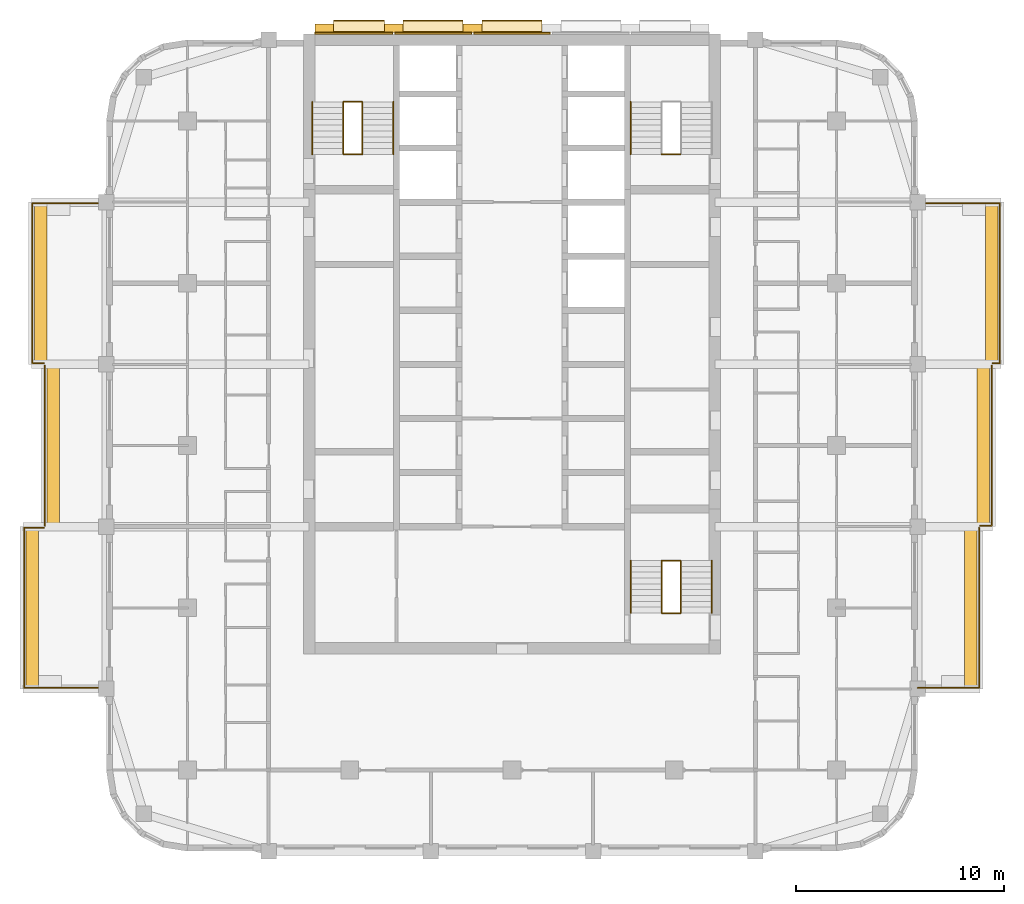
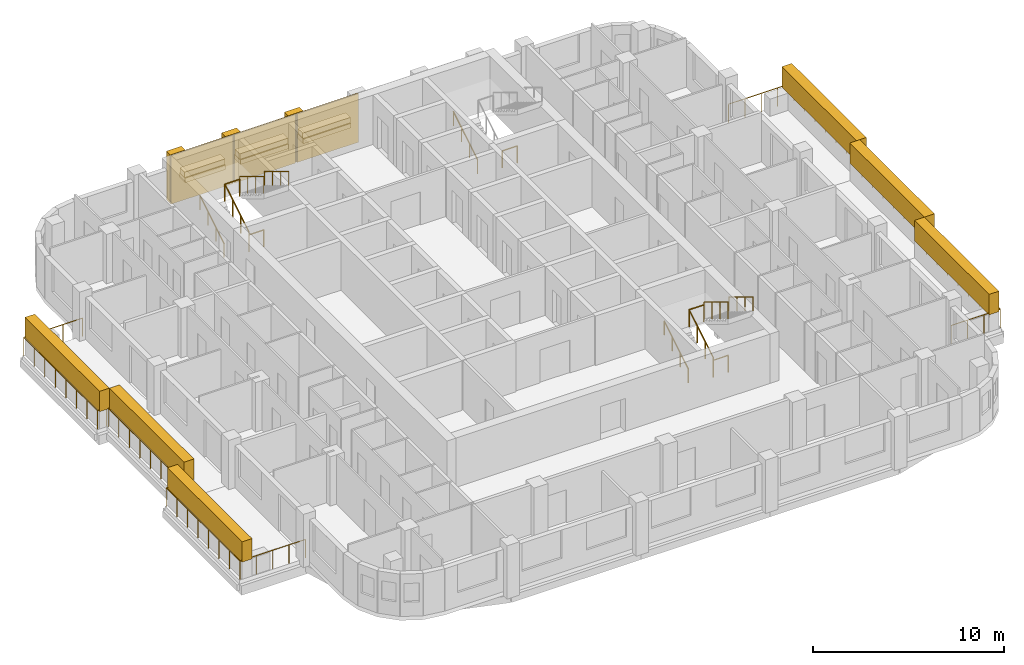
# One storey, part 12 of 13: 20 railings, 18 coverings, 3 elements without a shape of their own.
"""IFC4 building model written with IfcOpenShell, lengths in metres."""

from ifc_helpers import new_model, si_unit, direction, frame, origin, origin_2d, place, context, subcontext, project, spatial, rectangle, circle, extrude, material, layer, layer_set, type_object, element, aggregate, save


model = new_model("IFC4")

# Units and contexts
model_context = context("Model", 3, precision=1e-05, world=origin(), true_north=direction((0.0, 1.0)))
body_context = subcontext(model_context, "Body", "Model", "MODEL_VIEW")
ifc_project = project(units=[si_unit("LENGTHUNIT", "METRE"), si_unit("AREAUNIT", "SQUARE_METRE"), si_unit("VOLUMEUNIT", "CUBIC_METRE"), si_unit("PLANEANGLEUNIT", "RADIAN"), si_unit("MASSUNIT", "GRAM", prefix="KILO")], contexts=[model_context])

# Site, building, storey
site_placement = place(None, origin())
site = spatial("IfcSite", under=ifc_project, at=site_placement, CompositionType="ELEMENT")
building_placement = place(site_placement, origin())
building = spatial("IfcBuilding", under=site, at=building_placement, Name="Ludao Terraces", CompositionType="ELEMENT")
storey_placement = place(building_placement, frame((0.0, 0.0, 155.39990234375)))
storey = spatial("IfcBuildingStorey", under=building, at=storey_placement, Name="L42", CompositionType="ELEMENT", Elevation=155.39990234375)

# Railings
ifc_material_1 = material(Name="Stainless steel 304", Category="steel")
railing_type_1 = type_object("IfcRailingType", Name="ENV Balcony glass guard 1200", PredefinedType="GUARDRAIL", material=ifc_material_1)
railing_1_placement = place(storey_placement, frame((104.5, 53.35009765625, 0.0)))
element("IfcRailing", 1, at=railing_1_placement, inside=storey, type_object=railing_type_1, Name="Balcony guard L42 E1", PredefinedType="GUARDRAIL", context=body_context, shape_type="SweptSolid", body=[
    extrude(circle(Radius=0.02392578125, at=origin_2d()), frame((0.0, 0.0, 1.17578125), z_axis=(1.0, 0.0, 0.0), x_axis=(0.0, 1.0, 0.0)), (0.0, 0.0, 1.0), 2.949951171875),
    extrude(circle(Radius=0.02392578125, at=origin_2d()), frame((2.949951171875, 0.0, 1.17578125), z_axis=(0.0, 1.0, 0.0), x_axis=(-1.0, 0.0, 0.0)), (0.0, 0.0, 1.0), 7.699951171875),
    extrude(circle(Radius=0.02099609375, at=origin_2d()), origin(), (0.0, 0.0, 1.0), 1.15185546875),
    extrude(circle(Radius=0.02099609375, at=origin_2d()), frame((0.9833984375, 0.0, 0.0)), (0.0, 0.0, 1.0), 1.15185546875),
    extrude(circle(Radius=0.02099609375, at=origin_2d()), frame((1.966552734375, 0.0, 0.0)), (0.0, 0.0, 1.0), 1.15185546875),
    extrude(circle(Radius=0.02099609375, at=origin_2d()), frame((2.949951171875, 0.0, 0.0)), (0.0, 0.0, 1.0), 1.15185546875),
    extrude(circle(Radius=0.02099609375, at=origin_2d()), frame((2.949951171875, 1.10009765625, 0.0)), (0.0, 0.0, 1.0), 1.15185546875),
    extrude(circle(Radius=0.02099609375, at=origin_2d()), frame((2.949951171875, 2.199951171875, 0.0)), (0.0, 0.0, 1.0), 1.15185546875),
    extrude(circle(Radius=0.02099609375, at=origin_2d()), frame((2.949951171875, 3.300048828125, 0.0)), (0.0, 0.0, 1.0), 1.15185546875),
    extrude(circle(Radius=0.02099609375, at=origin_2d()), frame((2.949951171875, 4.39990234375, 0.0)), (0.0, 0.0, 1.0), 1.15185546875),
    extrude(circle(Radius=0.02099609375, at=origin_2d()), frame((2.949951171875, 5.5, 0.0)), (0.0, 0.0, 1.0), 1.15185546875),
    extrude(circle(Radius=0.02099609375, at=origin_2d()), frame((2.949951171875, 6.599853515625, 0.0)), (0.0, 0.0, 1.0), 1.15185546875),
    extrude(circle(Radius=0.02099609375, at=origin_2d()), frame((2.949951171875, 7.699951171875, 0.0)), (0.0, 0.0, 1.0), 1.15185546875),
])
railing_2_placement = place(storey_placement, frame((107.5, 61.14990234375, 0.0)))
element("IfcRailing", 2, at=railing_2_placement, inside=storey, type_object=railing_type_1, Name="Balcony guard L42 E2", PredefinedType="GUARDRAIL", context=body_context, shape_type="SweptSolid", body=[
    extrude(circle(Radius=0.02392578125, at=origin_2d()), frame((0.0, 0.0, 1.17578125), z_axis=(1.0, 0.0, 0.0), x_axis=(0.0, 1.0, 0.0)), (0.0, 0.0, 1.0), 0.550048828125),
    extrude(circle(Radius=0.02392578125, at=origin_2d()), frame((0.550048828125, 0.0, 1.17578125), z_axis=(0.0, 1.0, 0.0), x_axis=(-1.0, 0.0, 0.0)), (0.0, 0.0, 1.0), 7.7001953125),
    extrude(circle(Radius=0.02099609375, at=origin_2d()), origin(), (0.0, 0.0, 1.0), 1.15185546875),
    extrude(circle(Radius=0.02099609375, at=origin_2d()), frame((0.550048828125, 0.0, 0.0)), (0.0, 0.0, 1.0), 1.15185546875),
    extrude(circle(Radius=0.02099609375, at=origin_2d()), frame((0.550048828125, 1.10009765625, 0.0)), (0.0, 0.0, 1.0), 1.15185546875),
    extrude(circle(Radius=0.02099609375, at=origin_2d()), frame((0.550048828125, 2.199951171875, 0.0)), (0.0, 0.0, 1.0), 1.15185546875),
    extrude(circle(Radius=0.02099609375, at=origin_2d()), frame((0.550048828125, 3.300048828125, 0.0)), (0.0, 0.0, 1.0), 1.15185546875),
    extrude(circle(Radius=0.02099609375, at=origin_2d()), frame((0.550048828125, 4.400146484375, 0.0)), (0.0, 0.0, 1.0), 1.15185546875),
    extrude(circle(Radius=0.02099609375, at=origin_2d()), frame((0.550048828125, 5.500244140625, 0.0)), (0.0, 0.0, 1.0), 1.15185546875),
    extrude(circle(Radius=0.02099609375, at=origin_2d()), frame((0.550048828125, 6.60009765625, 0.0)), (0.0, 0.0, 1.0), 1.15185546875),
    extrude(circle(Radius=0.02099609375, at=origin_2d()), frame((0.550048828125, 7.7001953125, 0.0)), (0.0, 0.0, 1.0), 1.15185546875),
])
railing_3_placement = place(storey_placement, frame((108.10009765625, 68.949951171875, 0.0)))
element("IfcRailing", 3, at=railing_3_placement, inside=storey, type_object=railing_type_1, Name="Balcony guard L42 E3", PredefinedType="GUARDRAIL", context=body_context, shape_type="SweptSolid", body=[
    extrude(circle(Radius=0.02392578125, at=origin_2d()), frame((0.0, 0.0, 1.17578125), z_axis=(1.0, 0.0, 0.0), x_axis=(0.0, 1.0, 0.0)), (0.0, 0.0, 1.0), 0.349853515625),
    extrude(circle(Radius=0.02392578125, at=origin_2d()), frame((0.349853515625, 0.0, 1.17578125), z_axis=(0.0, 1.0, 0.0), x_axis=(-1.0, 0.0, 0.0)), (0.0, 0.0, 1.0), 7.699951171875),
    extrude(circle(Radius=0.02392578125, at=origin_2d()), frame((0.349853515625, 7.699951171875, 1.17578125), z_axis=(-1.0, 0.0, 0.0), x_axis=(0.0, -1.0, 0.0)), (0.0, 0.0, 1.0), 3.949951171875),
    extrude(circle(Radius=0.02099609375, at=origin_2d()), origin(), (0.0, 0.0, 1.0), 1.15185546875),
    extrude(circle(Radius=0.02099609375, at=origin_2d()), frame((0.349853515625, 0.0, 0.0)), (0.0, 0.0, 1.0), 1.15185546875),
    extrude(circle(Radius=0.02099609375, at=origin_2d()), frame((0.349853515625, 1.10009765625, 0.0)), (0.0, 0.0, 1.0), 1.15185546875),
    extrude(circle(Radius=0.02099609375, at=origin_2d()), frame((0.349853515625, 2.199951171875, 0.0)), (0.0, 0.0, 1.0), 1.15185546875),
    extrude(circle(Radius=0.02099609375, at=origin_2d()), frame((0.349853515625, 3.300048828125, 0.0)), (0.0, 0.0, 1.0), 1.15185546875),
    extrude(circle(Radius=0.02099609375, at=origin_2d()), frame((0.349853515625, 4.39990234375, 0.0)), (0.0, 0.0, 1.0), 1.15185546875),
    extrude(circle(Radius=0.02099609375, at=origin_2d()), frame((0.349853515625, 5.5, 0.0)), (0.0, 0.0, 1.0), 1.15185546875),
    extrude(circle(Radius=0.02099609375, at=origin_2d()), frame((0.349853515625, 6.599853515625, 0.0)), (0.0, 0.0, 1.0), 1.15185546875),
    extrude(circle(Radius=0.02099609375, at=origin_2d()), frame((0.349853515625, 7.699951171875, 0.0)), (0.0, 0.0, 1.0), 1.15185546875),
    extrude(circle(Radius=0.02099609375, at=origin_2d()), frame((-0.6376953125, 7.699951171875, 0.0)), (0.0, 0.0, 1.0), 1.15185546875),
    extrude(circle(Radius=0.02099609375, at=origin_2d()), frame((-1.625, 7.699951171875, 0.0)), (0.0, 0.0, 1.0), 1.15185546875),
    extrude(circle(Radius=0.02099609375, at=origin_2d()), frame((-2.612548828125, 7.699951171875, 0.0)), (0.0, 0.0, 1.0), 1.15185546875),
    extrude(circle(Radius=0.02099609375, at=origin_2d()), frame((-3.60009765625, 7.699951171875, 0.0)), (0.0, 0.0, 1.0), 1.15185546875),
])
railing_4_placement = place(storey_placement, frame((65.5, 53.35009765625, 0.0)))
element("IfcRailing", 4, at=railing_4_placement, inside=storey, type_object=railing_type_1, Name="Balcony guard L42 W1", PredefinedType="GUARDRAIL", context=body_context, shape_type="SweptSolid", body=[
    extrude(circle(Radius=0.02392578125, at=origin_2d()), frame((0.0, 0.0, 1.17578125), z_axis=(-1.0, 0.0, 0.0), x_axis=(0.0, -1.0, 0.0)), (0.0, 0.0, 1.0), 3.949951171875),
    extrude(circle(Radius=0.02392578125, at=origin_2d()), frame((-3.949951171875, 0.0, 1.17578125), z_axis=(0.0, 1.0, 0.0), x_axis=(-1.0, 0.0, 0.0)), (0.0, 0.0, 1.0), 7.699951171875),
    extrude(circle(Radius=0.02392578125, at=origin_2d()), frame((-3.949951171875, 7.699951171875, 1.17578125), z_axis=(1.0, 0.0, 0.0), x_axis=(0.0, 1.0, 0.0)), (0.0, 0.0, 1.0), 0.949951171875),
    extrude(circle(Radius=0.02099609375, at=origin_2d()), origin(), (0.0, 0.0, 1.0), 1.15185546875),
    extrude(circle(Radius=0.02099609375, at=origin_2d()), frame((-0.987548828125, 0.0, 0.0)), (0.0, 0.0, 1.0), 1.15185546875),
    extrude(circle(Radius=0.02099609375, at=origin_2d()), frame((-1.97509765625, 0.0, 0.0)), (0.0, 0.0, 1.0), 1.15185546875),
    extrude(circle(Radius=0.02099609375, at=origin_2d()), frame((-2.96240234375, 0.0, 0.0)), (0.0, 0.0, 1.0), 1.15185546875),
    extrude(circle(Radius=0.02099609375, at=origin_2d()), frame((-3.949951171875, 0.0, 0.0)), (0.0, 0.0, 1.0), 1.15185546875),
    extrude(circle(Radius=0.02099609375, at=origin_2d()), frame((-3.949951171875, 1.10009765625, 0.0)), (0.0, 0.0, 1.0), 1.15185546875),
    extrude(circle(Radius=0.02099609375, at=origin_2d()), frame((-3.949951171875, 2.199951171875, 0.0)), (0.0, 0.0, 1.0), 1.15185546875),
    extrude(circle(Radius=0.02099609375, at=origin_2d()), frame((-3.949951171875, 3.300048828125, 0.0)), (0.0, 0.0, 1.0), 1.15185546875),
    extrude(circle(Radius=0.02099609375, at=origin_2d()), frame((-3.949951171875, 4.39990234375, 0.0)), (0.0, 0.0, 1.0), 1.15185546875),
    extrude(circle(Radius=0.02099609375, at=origin_2d()), frame((-3.949951171875, 5.5, 0.0)), (0.0, 0.0, 1.0), 1.15185546875),
    extrude(circle(Radius=0.02099609375, at=origin_2d()), frame((-3.949951171875, 6.599853515625, 0.0)), (0.0, 0.0, 1.0), 1.15185546875),
    extrude(circle(Radius=0.02099609375, at=origin_2d()), frame((-3.949951171875, 7.699951171875, 0.0)), (0.0, 0.0, 1.0), 1.15185546875),
    extrude(circle(Radius=0.02099609375, at=origin_2d()), frame((-3.0, 7.699951171875, 0.0)), (0.0, 0.0, 1.0), 1.15185546875),
])
railing_5_placement = place(storey_placement, frame((62.550048828125, 61.14990234375, 0.0)))
element("IfcRailing", 5, at=railing_5_placement, inside=storey, type_object=railing_type_1, Name="Balcony guard L42 W2", PredefinedType="GUARDRAIL", context=body_context, shape_type="SweptSolid", body=[
    extrude(circle(Radius=0.02392578125, at=origin_2d()), frame((0.0, 0.0, 1.17578125), z_axis=(0.0, 1.0, 0.0), x_axis=(-1.0, 0.0, 0.0)), (0.0, 0.0, 1.0), 7.7001953125),
    extrude(circle(Radius=0.02099609375, at=origin_2d()), origin(), (0.0, 0.0, 1.0), 1.15185546875),
    extrude(circle(Radius=0.02099609375, at=origin_2d()), frame((0.0, 1.10009765625, 0.0)), (0.0, 0.0, 1.0), 1.15185546875),
    extrude(circle(Radius=0.02099609375, at=origin_2d()), frame((0.0, 2.199951171875, 0.0)), (0.0, 0.0, 1.0), 1.15185546875),
    extrude(circle(Radius=0.02099609375, at=origin_2d()), frame((0.0, 3.300048828125, 0.0)), (0.0, 0.0, 1.0), 1.15185546875),
    extrude(circle(Radius=0.02099609375, at=origin_2d()), frame((0.0, 4.400146484375, 0.0)), (0.0, 0.0, 1.0), 1.15185546875),
    extrude(circle(Radius=0.02099609375, at=origin_2d()), frame((0.0, 5.500244140625, 0.0)), (0.0, 0.0, 1.0), 1.15185546875),
    extrude(circle(Radius=0.02099609375, at=origin_2d()), frame((0.0, 6.60009765625, 0.0)), (0.0, 0.0, 1.0), 1.15185546875),
    extrude(circle(Radius=0.02099609375, at=origin_2d()), frame((0.0, 7.7001953125, 0.0)), (0.0, 0.0, 1.0), 1.15185546875),
])
railing_6_placement = place(storey_placement, frame((62.5, 68.949951171875, 0.0)))
element("IfcRailing", 6, at=railing_6_placement, inside=storey, type_object=railing_type_1, Name="Balcony guard L42 W3", PredefinedType="GUARDRAIL", context=body_context, shape_type="SweptSolid", body=[
    extrude(circle(Radius=0.02392578125, at=origin_2d()), frame((0.0, 0.0, 1.17578125), z_axis=(-1.0, 0.0, 0.0), x_axis=(0.0, -1.0, 0.0)), (0.0, 0.0, 1.0), 0.550048828125),
    extrude(circle(Radius=0.02392578125, at=origin_2d()), frame((-0.550048828125, 0.0, 1.17578125), z_axis=(0.0, 1.0, 0.0), x_axis=(-1.0, 0.0, 0.0)), (0.0, 0.0, 1.0), 7.699951171875),
    extrude(circle(Radius=0.02392578125, at=origin_2d()), frame((-0.550048828125, 7.699951171875, 1.17578125), z_axis=(1.0, 0.0, 0.0), x_axis=(0.0, 1.0, 0.0)), (0.0, 0.0, 1.0), 3.550048828125),
    extrude(circle(Radius=0.02099609375, at=origin_2d()), origin(), (0.0, 0.0, 1.0), 1.15185546875),
    extrude(circle(Radius=0.02099609375, at=origin_2d()), frame((-0.550048828125, 0.0, 0.0)), (0.0, 0.0, 1.0), 1.15185546875),
    extrude(circle(Radius=0.02099609375, at=origin_2d()), frame((-0.550048828125, 1.10009765625, 0.0)), (0.0, 0.0, 1.0), 1.15185546875),
    extrude(circle(Radius=0.02099609375, at=origin_2d()), frame((-0.550048828125, 2.199951171875, 0.0)), (0.0, 0.0, 1.0), 1.15185546875),
    extrude(circle(Radius=0.02099609375, at=origin_2d()), frame((-0.550048828125, 3.300048828125, 0.0)), (0.0, 0.0, 1.0), 1.15185546875),
    extrude(circle(Radius=0.02099609375, at=origin_2d()), frame((-0.550048828125, 4.39990234375, 0.0)), (0.0, 0.0, 1.0), 1.15185546875),
    extrude(circle(Radius=0.02099609375, at=origin_2d()), frame((-0.550048828125, 5.5, 0.0)), (0.0, 0.0, 1.0), 1.15185546875),
    extrude(circle(Radius=0.02099609375, at=origin_2d()), frame((-0.550048828125, 6.599853515625, 0.0)), (0.0, 0.0, 1.0), 1.15185546875),
    extrude(circle(Radius=0.02099609375, at=origin_2d()), frame((-0.550048828125, 7.699951171875, 0.0)), (0.0, 0.0, 1.0), 1.15185546875),
    extrude(circle(Radius=0.02099609375, at=origin_2d()), frame((0.63330078125, 7.699951171875, 0.0)), (0.0, 0.0, 1.0), 1.15185546875),
    extrude(circle(Radius=0.02099609375, at=origin_2d()), frame((1.816650390625, 7.699951171875, 0.0)), (0.0, 0.0, 1.0), 1.15185546875),
    extrude(circle(Radius=0.02099609375, at=origin_2d()), frame((3.0, 7.699951171875, 0.0)), (0.0, 0.0, 1.0), 1.15185546875),
])

# Coverings
ifc_material_2 = material(Name="Granite cladding", Category="masonry")
ifc_layer_1 = layer(ifc_material_2, 0.39990234375)
ifc_layer_set_1 = layer_set([ifc_layer_1], Name="ENV Core pilaster stone 400")
covering_type_1 = type_object("IfcCoveringType", Name="ENV Core pilaster stone 400", PredefinedType="CLADDING", material=ifc_layer_set_1)
for number, where, z_axis, x_axis, name in (
    (7, (75.97509765625, 85.054931640625, 0.0), (0.0, 0.0, 1.0), (1.0, 0.0, 0.0), "CC-L42-PIL1"),
    (8, (79.31494140625, 85.054931640625, 0.0), (0.0, 0.0, 1.0), (1.0, 0.0, 0.0), "CC-L42-PIL2"),
    (9, (83.10498046875, 85.054931640625, 0.0), (0.0, 0.0, 1.0), (1.0, 0.0, 0.0), "CC-L42-PIL3"),
):
    element("IfcCovering", number, at=place(storey_placement, frame(where, z_axis=z_axis, x_axis=x_axis)), inside=storey, type_object=covering_type_1, Name=name, PredefinedType="CLADDING", context=body_context, shape_type="SweptSolid", body=[
        extrude(rectangle(XDim=0.89990234375, YDim=0.39990234375, at=origin_2d()), origin(), (0.0, 0.0, 1.0), 3.10009765625),
    ])
ifc_layer_2 = layer(ifc_material_2, 0.60009765625)
ifc_layer_set_2 = layer_set([ifc_layer_2], Name="ENV Core planting shelf stone 600")
covering_type_2 = type_object("IfcCoveringType", Name="ENV Core planting shelf stone 600", PredefinedType="CLADDING", material=ifc_layer_set_2)
covering_1_placement = place(storey_placement, frame((77.64501953125, 85.155029296875, 1.0), z_axis=(0.0, 0.0, 1.0), x_axis=(1.0, 0.0, 0.0)))
element("IfcCovering", 10, at=covering_1_placement, inside=storey, type_object=covering_type_2, Name="CC-L42-SHELF1", PredefinedType="CLADDING", context=body_context, shape_type="SweptSolid", body=[
    extrude(rectangle(XDim=2.43994140625, YDim=0.60009765625, at=origin_2d()), origin(), (0.0, 0.0, 1.0), 0.300048828125),
])
for number, where, z_axis, x_axis, name in (
    (11, (81.2099609375, 85.155029296875, 1.0), (0.0, 0.0, 1.0), (1.0, 0.0, 0.0), "CC-L42-SHELF2"),
    (12, (85.0, 85.155029296875, 1.0), (0.0, 0.0, 1.0), (1.0, 0.0, 0.0), "CC-L42-SHELF3"),
):
    element("IfcCovering", number, at=place(storey_placement, frame(where, z_axis=z_axis, x_axis=x_axis)), inside=storey, type_object=covering_type_2, Name=name, PredefinedType="CLADDING", context=body_context, shape_type="SweptSolid", body=[
        extrude(rectangle(XDim=2.889892578125, YDim=0.60009765625, at=origin_2d()), origin(), (0.0, 0.0, 1.0), 0.300048828125),
    ])
ifc_layer_3 = layer(ifc_material_2, 0.080078125)
ifc_layer_set_3 = layer_set([ifc_layer_3], Name="ENV Core stone cladding panel 80")
covering_type_3 = type_object("IfcCoveringType", Name="ENV Core stone cladding panel 80", PredefinedType="CLADDING", material=ifc_layer_set_3)
covering_2_placement = place(storey_placement, frame((77.39501953125, 84.81494140625, 0.0), z_axis=(0.0, 0.0, 1.0), x_axis=(1.0, 0.0, 0.0)))
element("IfcCovering", 13, at=covering_2_placement, inside=storey, type_object=covering_type_3, Name="CC-L42-CORE1", PredefinedType="CLADDING", context=body_context, shape_type="SweptSolid", body=[
    extrude(rectangle(XDim=3.739990234375, YDim=0.080078125, at=origin_2d()), origin(), (0.0, 0.0, 1.0), 3.10009765625),
])
for number, where, z_axis, x_axis, name in (
    (14, (81.2099609375, 84.81494140625, 0.0), (0.0, 0.0, 1.0), (1.0, 0.0, 0.0), "CC-L42-CORE2"),
    (15, (85.0, 84.81494140625, 0.0), (0.0, 0.0, 1.0), (1.0, 0.0, 0.0), "CC-L42-CORE3"),
):
    element("IfcCovering", number, at=place(storey_placement, frame(where, z_axis=z_axis, x_axis=x_axis)), inside=storey, type_object=covering_type_3, Name=name, PredefinedType="CLADDING", context=body_context, shape_type="SweptSolid", body=[
        extrude(rectangle(XDim=3.68994140625, YDim=0.080078125, at=origin_2d()), origin(), (0.0, 0.0, 1.0), 3.10009765625),
    ])
ifc_material_3 = material(Name="Planting")
ifc_layer_4 = layer(ifc_material_3, 0.60009765625)
ifc_layer_set_4 = layer_set([ifc_layer_4], Name="ENV Planting hedge 600x1300")
covering_type_4 = type_object("IfcCoveringType", Name="ENV Planting hedge 600x1300", PredefinedType="USERDEFINED", material=ifc_layer_set_4)
for number, where, z_axis, x_axis, name in (
    (16, (107.050048828125, 57.199951171875, 1.10009765625), (0.0, 0.0, 1.0), (1.0, 0.0, 0.0), "Planting hedge L42-E1"),
    (17, (107.64990234375, 65.0, 1.10009765625), (0.0, 0.0, 1.0), (1.0, 0.0, 0.0), "Planting hedge L42-E2"),
    (18, (108.050048828125, 72.800048828125, 1.10009765625), (0.0, 0.0, 1.0), (1.0, 0.0, 0.0), "Planting hedge L42-E3"),
    (19, (61.949951171875, 57.199951171875, 1.10009765625), (0.0, 0.0, 1.0), (1.0, 0.0, 0.0), "Planting hedge L42-W1"),
    (20, (62.949951171875, 65.0, 1.10009765625), (0.0, 0.0, 1.0), (1.0, 0.0, 0.0), "Planting hedge L42-W2"),
    (21, (62.35009765625, 72.800048828125, 1.10009765625), (0.0, 0.0, 1.0), (1.0, 0.0, 0.0), "Planting hedge L42-W3"),
):
    element("IfcCovering", number, at=place(storey_placement, frame(where, z_axis=z_axis, x_axis=x_axis)), inside=storey, type_object=covering_type_4, Name=name, ObjectType="PLANTING", PredefinedType="USERDEFINED", context=body_context, shape_type="SweptSolid", body=[
        extrude(rectangle(XDim=0.60009765625, YDim=7.800048828125, at=origin_2d()), origin(), (0.0, 0.0, 1.0), 1.300048828125),
    ])
ifc_layer_5 = layer(ifc_material_3, 0.5)
ifc_layer_set_5 = layer_set([ifc_layer_5], Name="ENV Shelf planting bed 350")
covering_type_5 = type_object("IfcCoveringType", Name="ENV Shelf planting bed 350", PredefinedType="USERDEFINED", material=ifc_layer_set_5)
covering_3_placement = place(storey_placement, frame((77.64501953125, 85.155029296875, 1.300048828125), z_axis=(0.0, 0.0, 1.0), x_axis=(1.0, 0.0, 0.0)))
element("IfcCovering", 22, at=covering_3_placement, inside=storey, type_object=covering_type_5, Name="Shelf planting bed L42 1", ObjectType="PLANTING", PredefinedType="USERDEFINED", context=body_context, shape_type="SweptSolid", body=[
    extrude(rectangle(XDim=2.43994140625, YDim=0.5, at=origin_2d()), origin(), (0.0, 0.0, 1.0), 0.35009765625),
])
for number, where, z_axis, x_axis, name in (
    (23, (81.2099609375, 85.155029296875, 1.300048828125), (0.0, 0.0, 1.0), (1.0, 0.0, 0.0), "Shelf planting bed L42 2"),
    (24, (85.0, 85.155029296875, 1.300048828125), (0.0, 0.0, 1.0), (1.0, 0.0, 0.0), "Shelf planting bed L42 3"),
):
    element("IfcCovering", number, at=place(storey_placement, frame(where, z_axis=z_axis, x_axis=x_axis)), inside=storey, type_object=covering_type_5, Name=name, ObjectType="PLANTING", PredefinedType="USERDEFINED", context=body_context, shape_type="SweptSolid", body=[
        extrude(rectangle(XDim=2.889892578125, YDim=0.5, at=origin_2d()), origin(), (0.0, 0.0, 1.0), 0.35009765625),
    ])

# Stair, railings
ifc_material_4 = material(Name="Concrete C40", Category="concrete")
stair_type = type_object("IfcStairType", Name="INT Stair", PredefinedType="HALF_TURN_STAIR", material=ifc_material_4)
stair_1_placement = place(storey_placement, origin())
stair_1 = element("IfcStair", 25, at=stair_1_placement, inside=storey, type_object=stair_type, Name="EXIT STAIR 1", PredefinedType="HALF_TURN_STAIR")
railing_type_2 = type_object("IfcRailingType", Name="INT Stair guard 1100", PredefinedType="GUARDRAIL", material=ifc_material_1)
railing_7_placement = place(storey_placement, frame((76.89990234375, 79.0, 0.170166015625)))
railing_7 = element("IfcRailing", 26, at=railing_7_placement, type_object=railing_type_2, Name="ST-L42-S1-R1G", PredefinedType="GUARDRAIL", context=body_context, shape_type="SweptSolid", body=[
    extrude(circle(Radius=0.02392578125, at=origin_2d()), frame((0.0, 0.0, 1.076171875), z_axis=(0.0, 0.85478489116, 0.518982456201), x_axis=(-1.0, 0.0, 0.0)), (0.0, 0.0, 1.0), 2.9482421875),
    extrude(circle(Radius=0.02099609375, at=origin_2d()), origin(), (0.0, 0.0, 1.0), 1.052001953125),
    extrude(circle(Radius=0.02099609375, at=origin_2d()), frame((0.0, 0.840087890625, 0.510009765625)), (0.0, 0.0, 1.0), 1.052001953125),
    extrude(circle(Radius=0.02099609375, at=origin_2d()), frame((0.0, 1.679931640625, 1.02001953125)), (0.0, 0.0, 1.0), 1.052001953125),
    extrude(circle(Radius=0.02099609375, at=origin_2d()), frame((0.0, 2.52001953125, 1.530029296875)), (0.0, 0.0, 1.0), 1.052001953125),
])
railing_8_placement = place(storey_placement, frame((77.800048828125, 81.52001953125, 1.8701171875)))
railing_8 = element("IfcRailing", 27, at=railing_8_placement, type_object=railing_type_2, Name="ST-L42-S1-R2G", PredefinedType="GUARDRAIL", context=body_context, shape_type="SweptSolid", body=[
    extrude(circle(Radius=0.02392578125, at=origin_2d()), frame((0.0, 0.0, 1.076171875), z_axis=(0.0, -0.85478489116, 0.518982456201), x_axis=(1.0, 0.0, 0.0)), (0.0, 0.0, 1.0), 2.9482421875),
    extrude(circle(Radius=0.02099609375, at=origin_2d()), origin(), (0.0, 0.0, 1.0), 1.052001953125),
    extrude(circle(Radius=0.02099609375, at=origin_2d()), frame((0.0, -0.840087890625, 0.510009765625)), (0.0, 0.0, 1.0), 1.052001953125),
    extrude(circle(Radius=0.02099609375, at=origin_2d()), frame((0.0, -1.679931640625, 1.02001953125)), (0.0, 0.0, 1.0), 1.052001953125),
    extrude(circle(Radius=0.02099609375, at=origin_2d()), frame((0.0, -2.52001953125, 1.530029296875)), (0.0, 0.0, 1.0), 1.052001953125),
])
railing_9_placement = place(storey_placement, frame((76.89990234375, 81.52001953125, 1.7001953125)))
railing_9 = element("IfcRailing", 28, at=railing_9_placement, type_object=railing_type_2, Name="ST-L42-S1-E1G", PredefinedType="GUARDRAIL", context=body_context, shape_type="SweptSolid", body=[
    extrude(circle(Radius=0.02392578125, at=origin_2d()), frame((0.0, 0.0, 1.076171875), z_axis=(1.0, 0.0, 0.0), x_axis=(0.0, 1.0, 0.0)), (0.0, 0.0, 1.0), 0.900146484375),
    extrude(circle(Radius=0.02099609375, at=origin_2d()), origin(), (0.0, 0.0, 1.0), 1.052001953125),
    extrude(circle(Radius=0.02099609375, at=origin_2d()), frame((0.900146484375, 0.0, 0.0)), (0.0, 0.0, 1.0), 1.052001953125),
])
railing_10_placement = place(storey_placement, frame((76.89990234375, 79.0, 0.0)))
railing_10 = element("IfcRailing", 29, at=railing_10_placement, type_object=railing_type_2, Name="ST-L42-S1-E2G", PredefinedType="GUARDRAIL", context=body_context, shape_type="SweptSolid", body=[
    extrude(circle(Radius=0.02392578125, at=origin_2d()), frame((0.0, 0.0, 1.076171875), z_axis=(1.0, 0.0, 0.0), x_axis=(0.0, 1.0, 0.0)), (0.0, 0.0, 1.0), 0.900146484375),
    extrude(circle(Radius=0.02099609375, at=origin_2d()), origin(), (0.0, 0.0, 1.0), 1.052001953125),
    extrude(circle(Radius=0.02099609375, at=origin_2d()), frame((0.900146484375, 0.0, 0.0)), (0.0, 0.0, 1.0), 1.052001953125),
])

# Stair, railing
stair_2_placement = place(storey_placement, origin())
stair_2 = element("IfcStair", 30, at=stair_2_placement, inside=storey, type_object=stair_type, Name="EXIT STAIR 2", PredefinedType="HALF_TURN_STAIR")
railing_11_placement = place(storey_placement, frame((92.199951171875, 79.0, 0.0)))
railing_11 = element("IfcRailing", 31, at=railing_11_placement, type_object=railing_type_2, Name="ST-L42-S2-E2G", PredefinedType="GUARDRAIL", context=body_context, shape_type="SweptSolid", body=[
    extrude(circle(Radius=0.02392578125, at=origin_2d()), frame((0.0, 0.0, 1.076171875), z_axis=(1.0, 0.0, 0.0), x_axis=(0.0, 1.0, 0.0)), (0.0, 0.0, 1.0), 0.900146484375),
    extrude(circle(Radius=0.02099609375, at=origin_2d()), origin(), (0.0, 0.0, 1.0), 1.052001953125),
    extrude(circle(Radius=0.02099609375, at=origin_2d()), frame((0.900146484375, 0.0, 0.0)), (0.0, 0.0, 1.0), 1.052001953125),
])

# Stair, railings
stair_3_placement = place(storey_placement, origin())
stair_3 = element("IfcStair", 32, at=stair_3_placement, inside=storey, type_object=stair_type, Name="EXIT STAIR 3", PredefinedType="HALF_TURN_STAIR")
railing_12_placement = place(storey_placement, frame((92.199951171875, 56.949951171875, 0.170166015625)))
railing_12 = element("IfcRailing", 33, at=railing_12_placement, type_object=railing_type_2, Name="ST-L42-S3-R1G", PredefinedType="GUARDRAIL", context=body_context, shape_type="SweptSolid", body=[
    extrude(circle(Radius=0.02392578125, at=origin_2d()), frame((0.0, 0.0, 1.076171875), z_axis=(0.0, 0.85478489116, 0.518982456201), x_axis=(-1.0, 0.0, 0.0)), (0.0, 0.0, 1.0), 2.9482421875),
    extrude(circle(Radius=0.02099609375, at=origin_2d()), origin(), (0.0, 0.0, 1.0), 1.052001953125),
    extrude(circle(Radius=0.02099609375, at=origin_2d()), frame((0.0, 0.840087890625, 0.510009765625)), (0.0, 0.0, 1.0), 1.052001953125),
    extrude(circle(Radius=0.02099609375, at=origin_2d()), frame((0.0, 1.679931640625, 1.02001953125)), (0.0, 0.0, 1.0), 1.052001953125),
    extrude(circle(Radius=0.02099609375, at=origin_2d()), frame((0.0, 2.52001953125, 1.530029296875)), (0.0, 0.0, 1.0), 1.052001953125),
])
railing_13_placement = place(storey_placement, frame((93.10009765625, 59.469970703125, 1.8701171875)))
railing_13 = element("IfcRailing", 34, at=railing_13_placement, type_object=railing_type_2, Name="ST-L42-S3-R2G", PredefinedType="GUARDRAIL", context=body_context, shape_type="SweptSolid", body=[
    extrude(circle(Radius=0.02392578125, at=origin_2d()), frame((0.0, 0.0, 1.076171875), z_axis=(0.0, -0.85478489116, 0.518982456201), x_axis=(1.0, 0.0, 0.0)), (0.0, 0.0, 1.0), 2.9482421875),
    extrude(circle(Radius=0.02099609375, at=origin_2d()), origin(), (0.0, 0.0, 1.0), 1.052001953125),
    extrude(circle(Radius=0.02099609375, at=origin_2d()), frame((0.0, -0.840087890625, 0.510009765625)), (0.0, 0.0, 1.0), 1.052001953125),
    extrude(circle(Radius=0.02099609375, at=origin_2d()), frame((0.0, -1.679931640625, 1.02001953125)), (0.0, 0.0, 1.0), 1.052001953125),
    extrude(circle(Radius=0.02099609375, at=origin_2d()), frame((0.0, -2.52001953125, 1.530029296875)), (0.0, 0.0, 1.0), 1.052001953125),
])
railing_14_placement = place(storey_placement, frame((92.199951171875, 59.469970703125, 1.7001953125)))
railing_14 = element("IfcRailing", 35, at=railing_14_placement, type_object=railing_type_2, Name="ST-L42-S3-E1G", PredefinedType="GUARDRAIL", context=body_context, shape_type="SweptSolid", body=[
    extrude(circle(Radius=0.02392578125, at=origin_2d()), frame((0.0, 0.0, 1.076171875), z_axis=(1.0, 0.0, 0.0), x_axis=(0.0, 1.0, 0.0)), (0.0, 0.0, 1.0), 0.900146484375),
    extrude(circle(Radius=0.02099609375, at=origin_2d()), origin(), (0.0, 0.0, 1.0), 1.052001953125),
    extrude(circle(Radius=0.02099609375, at=origin_2d()), frame((0.900146484375, 0.0, 0.0)), (0.0, 0.0, 1.0), 1.052001953125),
])
railing_15_placement = place(storey_placement, frame((92.199951171875, 56.949951171875, 0.0)))
railing_15 = element("IfcRailing", 36, at=railing_15_placement, type_object=railing_type_2, Name="ST-L42-S3-E2G", PredefinedType="GUARDRAIL", context=body_context, shape_type="SweptSolid", body=[
    extrude(circle(Radius=0.02392578125, at=origin_2d()), frame((0.0, 0.0, 1.076171875), z_axis=(1.0, 0.0, 0.0), x_axis=(0.0, 1.0, 0.0)), (0.0, 0.0, 1.0), 0.900146484375),
    extrude(circle(Radius=0.02099609375, at=origin_2d()), origin(), (0.0, 0.0, 1.0), 1.052001953125),
    extrude(circle(Radius=0.02099609375, at=origin_2d()), frame((0.900146484375, 0.0, 0.0)), (0.0, 0.0, 1.0), 1.052001953125),
])

# Railing
railing_type_3 = type_object("IfcRailingType", Name="INT Stair handrail 900", PredefinedType="HANDRAIL", material=ifc_material_1)
railing_16_placement = place(storey_placement, frame((75.39990234375, 79.0, 0.170166015625)))
railing_16 = element("IfcRailing", 37, at=railing_16_placement, type_object=railing_type_3, Name="ST-L42-S1-R1H", PredefinedType="HANDRAIL", context=body_context, shape_type="SweptSolid", body=[
    extrude(circle(Radius=0.02392578125, at=origin_2d()), frame((0.0, 0.0, 0.8759765625), z_axis=(0.0, 0.85478489116, 0.518982456201), x_axis=(-1.0, 0.0, 0.0)), (0.0, 0.0, 1.0), 2.9482421875),
    extrude(circle(Radius=0.02099609375, at=origin_2d()), origin(), (0.0, 0.0, 1.0), 0.851806640625),
    extrude(circle(Radius=0.02099609375, at=origin_2d()), frame((0.0, 0.840087890625, 0.510009765625)), (0.0, 0.0, 1.0), 0.851806640625),
    extrude(circle(Radius=0.02099609375, at=origin_2d()), frame((0.0, 1.679931640625, 1.02001953125)), (0.0, 0.0, 1.0), 0.851806640625),
    extrude(circle(Radius=0.02099609375, at=origin_2d()), frame((0.0, 2.52001953125, 1.530029296875)), (0.0, 0.0, 1.0), 0.851806640625),
])

railing_17_placement = place(storey_placement, frame((79.300048828125, 81.52001953125, 1.8701171875)))
railing_17 = element("IfcRailing", 38, at=railing_17_placement, type_object=railing_type_3, Name="ST-L42-S1-R2H", PredefinedType="HANDRAIL", context=body_context, shape_type="SweptSolid", body=[
    extrude(circle(Radius=0.02392578125, at=origin_2d()), frame((0.0, 0.0, 0.8759765625), z_axis=(0.0, -0.85478489116, 0.518982456201), x_axis=(1.0, 0.0, 0.0)), (0.0, 0.0, 1.0), 2.9482421875),
    extrude(circle(Radius=0.02099609375, at=origin_2d()), origin(), (0.0, 0.0, 1.0), 0.851806640625),
    extrude(circle(Radius=0.02099609375, at=origin_2d()), frame((0.0, -0.840087890625, 0.510009765625)), (0.0, 0.0, 1.0), 0.851806640625),
    extrude(circle(Radius=0.02099609375, at=origin_2d()), frame((0.0, -1.679931640625, 1.02001953125)), (0.0, 0.0, 1.0), 0.851806640625),
    extrude(circle(Radius=0.02099609375, at=origin_2d()), frame((0.0, -2.52001953125, 1.530029296875)), (0.0, 0.0, 1.0), 0.851806640625),
])

aggregate(stair_1, [railing_7, railing_16, railing_8, railing_17, railing_9, railing_10])

railing_18_placement = place(storey_placement, frame((90.699951171875, 79.0, 0.170166015625)))
railing_18 = element("IfcRailing", 39, at=railing_18_placement, type_object=railing_type_3, Name="ST-L42-S2-R1H", PredefinedType="HANDRAIL", context=body_context, shape_type="SweptSolid", body=[
    extrude(circle(Radius=0.02392578125, at=origin_2d()), frame((0.0, 0.0, 0.8759765625), z_axis=(0.0, 0.85478489116, 0.518982456201), x_axis=(-1.0, 0.0, 0.0)), (0.0, 0.0, 1.0), 2.9482421875),
    extrude(circle(Radius=0.02099609375, at=origin_2d()), origin(), (0.0, 0.0, 1.0), 0.851806640625),
    extrude(circle(Radius=0.02099609375, at=origin_2d()), frame((0.0, 0.840087890625, 0.510009765625)), (0.0, 0.0, 1.0), 0.851806640625),
    extrude(circle(Radius=0.02099609375, at=origin_2d()), frame((0.0, 1.679931640625, 1.02001953125)), (0.0, 0.0, 1.0), 0.851806640625),
    extrude(circle(Radius=0.02099609375, at=origin_2d()), frame((0.0, 2.52001953125, 1.530029296875)), (0.0, 0.0, 1.0), 0.851806640625),
])

aggregate(stair_2, [railing_18, railing_11])

railing_19_placement = place(storey_placement, frame((90.699951171875, 56.949951171875, 0.170166015625)))
railing_19 = element("IfcRailing", 40, at=railing_19_placement, type_object=railing_type_3, Name="ST-L42-S3-R1H", PredefinedType="HANDRAIL", context=body_context, shape_type="SweptSolid", body=[
    extrude(circle(Radius=0.02392578125, at=origin_2d()), frame((0.0, 0.0, 0.8759765625), z_axis=(0.0, 0.85478489116, 0.518982456201), x_axis=(-1.0, 0.0, 0.0)), (0.0, 0.0, 1.0), 2.9482421875),
    extrude(circle(Radius=0.02099609375, at=origin_2d()), origin(), (0.0, 0.0, 1.0), 0.851806640625),
    extrude(circle(Radius=0.02099609375, at=origin_2d()), frame((0.0, 0.840087890625, 0.510009765625)), (0.0, 0.0, 1.0), 0.851806640625),
    extrude(circle(Radius=0.02099609375, at=origin_2d()), frame((0.0, 1.679931640625, 1.02001953125)), (0.0, 0.0, 1.0), 0.851806640625),
    extrude(circle(Radius=0.02099609375, at=origin_2d()), frame((0.0, 2.52001953125, 1.530029296875)), (0.0, 0.0, 1.0), 0.851806640625),
])

railing_20_placement = place(storey_placement, frame((94.60009765625, 59.469970703125, 1.8701171875)))
railing_20 = element("IfcRailing", 41, at=railing_20_placement, type_object=railing_type_3, Name="ST-L42-S3-R2H", PredefinedType="HANDRAIL", context=body_context, shape_type="SweptSolid", body=[
    extrude(circle(Radius=0.02392578125, at=origin_2d()), frame((0.0, 0.0, 0.8759765625), z_axis=(0.0, -0.85478489116, 0.518982456201), x_axis=(1.0, 0.0, 0.0)), (0.0, 0.0, 1.0), 2.9482421875),
    extrude(circle(Radius=0.02099609375, at=origin_2d()), origin(), (0.0, 0.0, 1.0), 0.851806640625),
    extrude(circle(Radius=0.02099609375, at=origin_2d()), frame((0.0, -0.840087890625, 0.510009765625)), (0.0, 0.0, 1.0), 0.851806640625),
    extrude(circle(Radius=0.02099609375, at=origin_2d()), frame((0.0, -1.679931640625, 1.02001953125)), (0.0, 0.0, 1.0), 0.851806640625),
    extrude(circle(Radius=0.02099609375, at=origin_2d()), frame((0.0, -2.52001953125, 1.530029296875)), (0.0, 0.0, 1.0), 0.851806640625),
])

aggregate(stair_3, [railing_12, railing_19, railing_13, railing_20, railing_14, railing_15])

save(model, "model.ifc")
